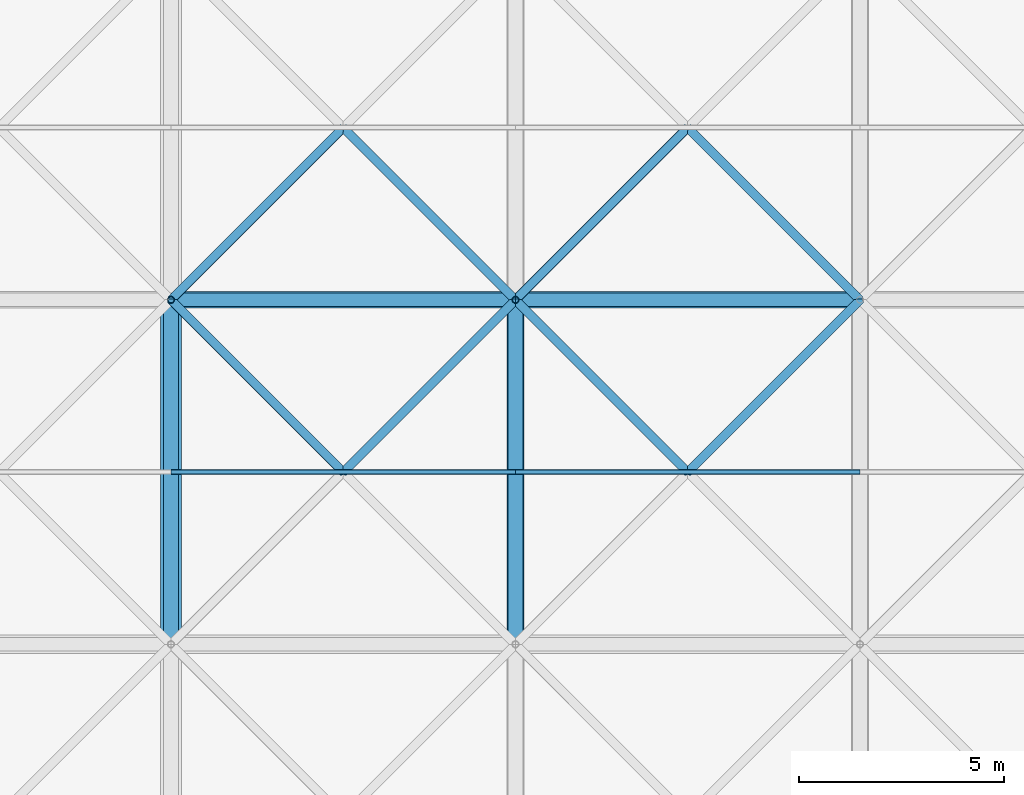
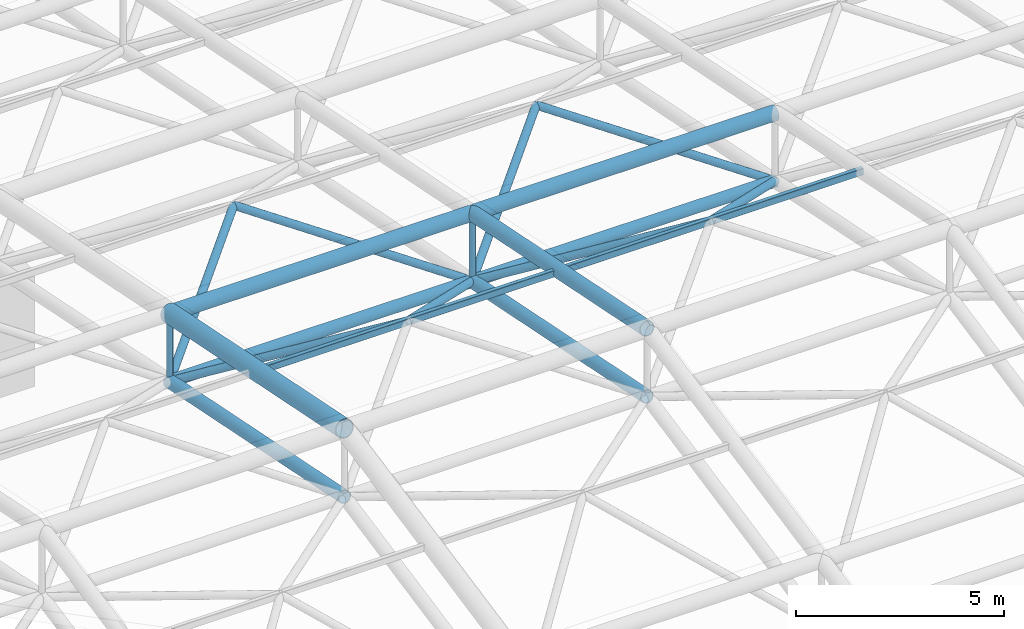
# One storey, part 33 of 81: 20 members.
"""IFC4 building model written with IfcOpenShell, lengths in metres."""

from ifc_helpers import new_model, si_unit, direction, frame, origin, origin_2d, place, context, subcontext, project, spatial, hollow_rectangle, hollow_circle, extrude, material, material_profile, profile_set, type_object, element, save


model = new_model("IFC4")

# Units and contexts
model_context = context("Model", 3, precision=1e-05, world=origin(), true_north=direction((0.0, 1.0)))
body_context = subcontext(model_context, "Body", "Model", "MODEL_VIEW")
ifc_project = project(units=[si_unit("LENGTHUNIT", "METRE"), si_unit("AREAUNIT", "SQUARE_METRE"), si_unit("VOLUMEUNIT", "CUBIC_METRE"), si_unit("PLANEANGLEUNIT", "RADIAN"), si_unit("MASSUNIT", "GRAM", prefix="KILO")], contexts=[model_context])

# Site, building, storey
site_placement = place(None, origin())
site = spatial("IfcSite", under=ifc_project, at=site_placement, CompositionType="ELEMENT")
building_placement = place(site_placement, origin())
building = spatial("IfcBuilding", under=site, at=building_placement, Name="Qawsi Khor Wholesale Market", CompositionType="ELEMENT")
storey_placement = place(building_placement, frame((0.0, 0.0, 16.199951171875)))
storey = spatial("IfcBuildingStorey", under=building, at=storey_placement, Name="L03", CompositionType="ELEMENT", Elevation=16.199951171875)

# Members
ifc_material = material(Name="Steel S355", Category="steel")
ifc_material_profile_1 = material_profile(ifc_material, hollow_circle(Radius=0.177734375, WallThickness=0.01611328125, at=origin_2d()), Name="CHS 355.6x16.0")
ifc_profile_set_1 = profile_set([ifc_material_profile_1], Name="Steel S355")
member_type_1 = type_object("IfcMemberType", Name="Space-Frame Bottom Chord CHS 355.6x16.0", PredefinedType="CHORD", material=ifc_profile_set_1)
for number, where, z_axis, x_axis, name in (
    (1, (16.800048828125, 75.60009765625, 6.77001953125), (0.0, 0.980129990483, -0.1983562496), (-1.0, 0.0, 0.0), "Space frame bottom chord Y WH (2,9)"),
    (2, (25.199951171875, 75.60009765625, 6.77001953125), (0.0, 0.980129990483, -0.1983562496), (-1.0, 0.0, 0.0), "Space frame bottom chord Y WH (3,9)"),
):
    element("IfcMember", number, at=place(storey_placement, frame(where, z_axis=z_axis, x_axis=x_axis)), inside=storey, type_object=member_type_1, Name=name, PredefinedType="CHORD", context=body_context, shape_type="SweptSolid", body=[
        extrude(hollow_circle(Radius=0.177734375, WallThickness=0.01611328125, at=origin_2d()), origin(), (0.0, 0.0, 1.0), 8.5703125),
    ])
ifc_material_profile_2 = material_profile(ifc_material, hollow_rectangle(XDim=0.1201171875, YDim=0.199951171875, WallThickness=0.008056640625, InnerFilletRadius=0.008056640625, OuterFilletRadius=0.01611328125, at=origin_2d()), Name="RHS 200x120x8.0")
ifc_profile_set_2 = profile_set([ifc_material_profile_2], Name="Steel S355")
member_type_2 = type_object("IfcMemberType", Name="Space-Frame Heavy Purlin RHS 200x120x8.0", PredefinedType="PURLIN", material=ifc_profile_set_2)
member_1_placement = place(storey_placement, frame((16.800048828125, 79.800048828125, 7.920166015625), z_axis=(1.0, 0.0, 0.0), x_axis=(0.0, 1.0, 0.0)))
element("IfcMember", 3, at=member_1_placement, inside=storey, type_object=member_type_2, Name="Space frame purlin WH (2,9)", PredefinedType="PURLIN", context=body_context, shape_type="SweptSolid", body=[
    extrude(hollow_rectangle(XDim=0.1201171875, YDim=0.199951171875, WallThickness=0.008056640625, InnerFilletRadius=0.008056640625, OuterFilletRadius=0.01611328125, at=origin_2d()), origin(), (0.0, 0.0, 1.0), 8.39990234375),
])
member_2_placement = place(storey_placement, frame((25.199951171875, 79.800048828125, 7.920166015625), z_axis=(1.0, 0.0, 0.0), x_axis=(0.0, 1.0, 0.0)))
element("IfcMember", 4, at=member_2_placement, inside=storey, type_object=member_type_2, Name="Space frame purlin WH (3,9)", PredefinedType="PURLIN", context=body_context, shape_type="SweptSolid", body=[
    extrude(hollow_rectangle(XDim=0.1201171875, YDim=0.199951171875, WallThickness=0.008056640625, InnerFilletRadius=0.008056640625, OuterFilletRadius=0.01611328125, at=origin_2d()), origin(), (0.0, 0.0, 1.0), 8.400146484375),
])
ifc_material_profile_3 = material_profile(ifc_material, hollow_circle(Radius=0.109619140625, WallThickness=0.010009765625, at=origin_2d()), Name="CHS 219.1x10.0")
ifc_profile_set_3 = profile_set([ifc_material_profile_3], Name="Steel S355")
member_type_3 = type_object("IfcMemberType", Name="Space-Frame Inner Diagonal CHS 219.1x10.0", PredefinedType="RAFTER", material=ifc_profile_set_3)
for number, where, z_axis, x_axis, name in (
    (5, (25.199951171875, 84.0, 5.070068359375), (-0.637511741089, -0.637511741089, 0.432617105474), (0.707106781187, -0.707106781187, 0.0), "Space frame diagonal WH (2,9)-3"),
    (6, (16.800048828125, 84.0, 5.070068359375), (0.637511741089, -0.637511741089, 0.432617105474), (0.707106781187, 0.707106781187, 0.0), "Space frame diagonal WH (2,9)-4"),
):
    element("IfcMember", number, at=place(storey_placement, frame(where, z_axis=z_axis, x_axis=x_axis)), inside=storey, type_object=member_type_3, Name=name, PredefinedType="RAFTER", context=body_context, shape_type="SweptSolid", body=[
        extrude(hollow_circle(Radius=0.109619140625, WallThickness=0.010009765625, at=origin_2d()), origin(), (0.0, 0.0, 1.0), 6.588134765625),
    ])
for number, where, z_axis, x_axis, name in (
    (7, (16.800048828125, 84.0, 5.070068359375), (0.694216714393, 0.694216714393, 0.190069216113), (-0.707106781187, 0.707106781187, 0.0), "Space frame diagonal WH (2,10)-1"),
    (8, (25.199951171875, 84.0, 5.070068359375), (-0.694216714393, 0.694216714393, 0.190069216113), (-0.707106781187, -0.707106781187, 0.0), "Space frame diagonal WH (2,10)-2"),
):
    element("IfcMember", number, at=place(storey_placement, frame(where, z_axis=z_axis, x_axis=x_axis)), inside=storey, type_object=member_type_3, Name=name, PredefinedType="RAFTER", context=body_context, shape_type="SweptSolid", body=[
        extrude(hollow_circle(Radius=0.109619140625, WallThickness=0.010009765625, at=origin_2d()), origin(), (0.0, 0.0, 1.0), 6.0498046875),
    ])
for number, where, z_axis, x_axis, name in (
    (9, (33.60009765625, 84.0, 5.070068359375), (-0.637533737254, -0.637496679957, 0.432606884951), (0.70708622964, -0.707127332136, 0.0), "Space frame diagonal WH (3,9)-3"),
    (10, (25.199951171875, 84.0, 5.070068359375), (0.637511741089, -0.637511741089, 0.432617105474), (0.707106781187, 0.707106781187, 0.0), "Space frame diagonal WH (3,9)-4"),
):
    element("IfcMember", number, at=place(storey_placement, frame(where, z_axis=z_axis, x_axis=x_axis)), inside=storey, type_object=member_type_3, Name=name, PredefinedType="RAFTER", context=body_context, shape_type="SweptSolid", body=[
        extrude(hollow_circle(Radius=0.109619140625, WallThickness=0.010009765625, at=origin_2d()), origin(), (0.0, 0.0, 1.0), 6.588134765625),
    ])
member_3_placement = place(storey_placement, frame((25.199951171875, 84.0, 5.070068359375), z_axis=(0.694216714393, 0.694216714393, 0.190069216113), x_axis=(-0.707106781187, 0.707106781187, 0.0)))
element("IfcMember", 11, at=member_3_placement, inside=storey, type_object=member_type_3, Name="Space frame diagonal WH (3,10)-1", PredefinedType="RAFTER", context=body_context, shape_type="SweptSolid", body=[
    extrude(hollow_circle(Radius=0.109619140625, WallThickness=0.010009765625, at=origin_2d()), origin(), (0.0, 0.0, 1.0), 6.0498046875),
])
member_4_placement = place(storey_placement, frame((33.60009765625, 84.0, 5.070068359375), z_axis=(-0.694237619642, 0.694197266374, 0.19006389145), x_axis=(-0.70708622964, -0.707127332136, 0.0)))
element("IfcMember", 12, at=member_4_placement, inside=storey, type_object=member_type_3, Name="Space frame diagonal WH (3,10)-2", PredefinedType="RAFTER", context=body_context, shape_type="SweptSolid", body=[
    extrude(hollow_circle(Radius=0.109619140625, WallThickness=0.010009765625, at=origin_2d()), origin(), (0.0, 0.0, 1.0), 6.050048828125),
])
ifc_material_profile_4 = material_profile(ifc_material, hollow_circle(Radius=0.25390625, WallThickness=0.02490234375, at=origin_2d()), Name="CHS 508.0x25.0")
ifc_profile_set_4 = profile_set([ifc_material_profile_4], Name="Steel S355")
member_type_4 = type_object("IfcMemberType", Name="Space-Frame Main Chord CHS 508.0x25.0", PredefinedType="CHORD", material=ifc_profile_set_4)
member_5_placement = place(storey_placement, frame((16.800048828125, 75.60009765625, 8.77001953125), z_axis=(0.0, 0.980129990483, -0.1983562496), x_axis=(-1.0, 0.0, 0.0)))
element("IfcMember", 13, at=member_5_placement, inside=storey, type_object=member_type_4, Name="Space frame top chord Y WH (2,9)", PredefinedType="CHORD", context=body_context, shape_type="SweptSolid", body=[
    extrude(hollow_circle(Radius=0.25390625, WallThickness=0.02490234375, at=origin_2d()), origin(), (0.0, 0.0, 1.0), 8.5703125),
])
ifc_material_profile_5 = material_profile(ifc_material, hollow_circle(Radius=0.161865234375, WallThickness=0.01611328125, at=origin_2d()), Name="CHS 323.9x16.0")
ifc_profile_set_5 = profile_set([ifc_material_profile_5], Name="Steel S355")
member_type_5 = type_object("IfcMemberType", Name="Space-Frame Secondary Chord CHS 323.9x16.0", PredefinedType="CHORD", material=ifc_profile_set_5)
member_6_placement = place(storey_placement, frame((16.800048828125, 84.0, 5.070068359375), z_axis=(1.0, 0.0, 0.0), x_axis=(0.0, 1.0, 0.0)))
element("IfcMember", 14, at=member_6_placement, inside=storey, type_object=member_type_5, Name="Space frame bottom chord X WH (2,10)", PredefinedType="CHORD", context=body_context, shape_type="SweptSolid", body=[
    extrude(hollow_circle(Radius=0.161865234375, WallThickness=0.01611328125, at=origin_2d()), origin(), (0.0, 0.0, 1.0), 8.39990234375),
])
member_7_placement = place(storey_placement, frame((25.199951171875, 84.0, 5.070068359375), z_axis=(1.0, 0.0, 0.0), x_axis=(0.0, 1.0, 0.0)))
element("IfcMember", 15, at=member_7_placement, inside=storey, type_object=member_type_5, Name="Space frame bottom chord X WH (3,10)", PredefinedType="CHORD", context=body_context, shape_type="SweptSolid", body=[
    extrude(hollow_circle(Radius=0.161865234375, WallThickness=0.01611328125, at=origin_2d()), origin(), (0.0, 0.0, 1.0), 8.400146484375),
])
ifc_material_profile_6 = material_profile(ifc_material, hollow_circle(Radius=0.203125, WallThickness=0.02001953125, at=origin_2d()), Name="CHS 406.4x20.0")
ifc_profile_set_6 = profile_set([ifc_material_profile_6], Name="Steel S355")
member_type_6 = type_object("IfcMemberType", Name="Space-Frame Top Chord CHS 406.4x20.0", PredefinedType="CHORD", material=ifc_profile_set_6)
member_8_placement = place(storey_placement, frame((16.800048828125, 84.0, 7.070068359375), z_axis=(1.0, 0.0, 0.0), x_axis=(0.0, 1.0, 0.0)))
element("IfcMember", 16, at=member_8_placement, inside=storey, type_object=member_type_6, Name="Space frame top chord X WH (2,10)", PredefinedType="CHORD", context=body_context, shape_type="SweptSolid", body=[
    extrude(hollow_circle(Radius=0.203125, WallThickness=0.02001953125, at=origin_2d()), origin(), (0.0, 0.0, 1.0), 8.39990234375),
])
member_9_placement = place(storey_placement, frame((25.199951171875, 75.60009765625, 8.77001953125), z_axis=(0.0, 0.980129990483, -0.1983562496), x_axis=(-1.0, 0.0, 0.0)))
element("IfcMember", 17, at=member_9_placement, inside=storey, type_object=member_type_6, Name="Space frame top chord Y WH (3,9)", PredefinedType="CHORD", context=body_context, shape_type="SweptSolid", body=[
    extrude(hollow_circle(Radius=0.203125, WallThickness=0.02001953125, at=origin_2d()), origin(), (0.0, 0.0, 1.0), 8.5703125),
])
member_10_placement = place(storey_placement, frame((25.199951171875, 84.0, 7.070068359375), z_axis=(1.0, 0.0, 0.0), x_axis=(0.0, 1.0, 0.0)))
element("IfcMember", 18, at=member_10_placement, inside=storey, type_object=member_type_6, Name="Space frame top chord X WH (3,10)", PredefinedType="CHORD", context=body_context, shape_type="SweptSolid", body=[
    extrude(hollow_circle(Radius=0.203125, WallThickness=0.02001953125, at=origin_2d()), origin(), (0.0, 0.0, 1.0), 8.400146484375),
])
ifc_material_profile_7 = material_profile(ifc_material, hollow_circle(Radius=0.084228515625, WallThickness=0.008056640625, at=origin_2d()), Name="CHS 168.3x8.0")
ifc_profile_set_7 = profile_set([ifc_material_profile_7], Name="Steel S355")
member_type_7 = type_object("IfcMemberType", Name="Space-Frame Vertical Strut CHS 168.3x8.0", PredefinedType="STRUT", material=ifc_profile_set_7)
for number, where, z_axis, x_axis, name in (
    (19, (16.800048828125, 84.0, 5.070068359375), (0.0, 0.0, 1.0), (1.0, 0.0, 0.0), "Space frame post WH (2,10)"),
    (20, (25.199951171875, 84.0, 5.070068359375), (0.0, 0.0, 1.0), (1.0, 0.0, 0.0), "Space frame post WH (3,10)"),
):
    element("IfcMember", number, at=place(storey_placement, frame(where, z_axis=z_axis, x_axis=x_axis)), inside=storey, type_object=member_type_7, Name=name, PredefinedType="STRUT", context=body_context, shape_type="SweptSolid", body=[
        extrude(hollow_circle(Radius=0.084228515625, WallThickness=0.008056640625, at=origin_2d()), origin(), (0.0, 0.0, 1.0), 2.0),
    ])

save(model, "model.ifc")
